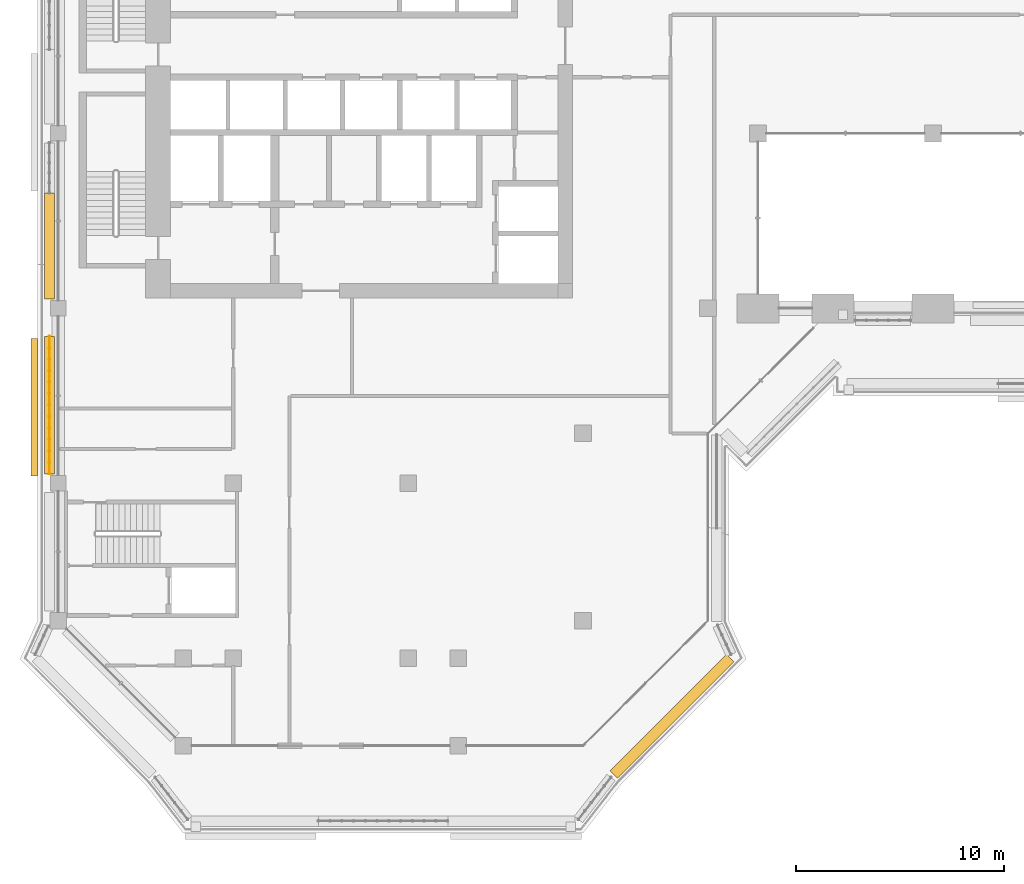
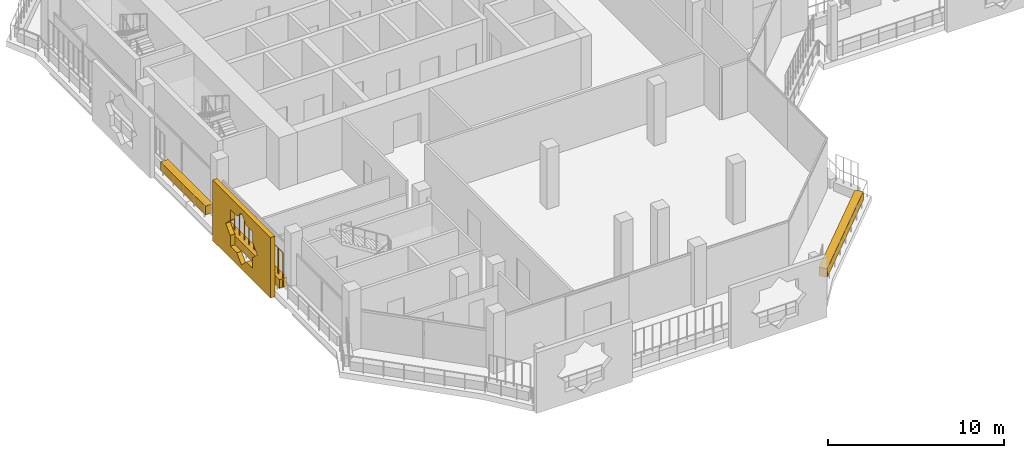
# One storey, part 16 of 23: 4 coverings, 1 railing.
"""IFC4 building model written with IfcOpenShell, lengths in metres."""

from ifc_helpers import new_model, si_unit, direction, frame, origin, origin_2d, place, context, subcontext, project, spatial, polyline, rectangle, circle, outline, extrude, material, material_profile, profile_set, type_object, element, save


model = new_model("IFC4")

# Units and contexts
model_context = context("Model", 3, precision=1e-05, world=origin(), true_north=direction((0.0, 1.0)))
body_context = subcontext(model_context, "Body", "Model", "MODEL_VIEW")
ifc_project = project(units=[si_unit("LENGTHUNIT", "METRE"), si_unit("AREAUNIT", "SQUARE_METRE"), si_unit("VOLUMEUNIT", "CUBIC_METRE"), si_unit("PLANEANGLEUNIT", "RADIAN"), si_unit("MASSUNIT", "GRAM", prefix="KILO")], contexts=[model_context])

# Site, building, storey
site_placement = place(None, origin())
site = spatial("IfcSite", under=ifc_project, at=site_placement, CompositionType="ELEMENT")
building_placement = place(site_placement, origin())
building = spatial("IfcBuilding", under=site, at=building_placement, Name="Kawkab Arch Medical Tower", CompositionType="ELEMENT")
storey_placement = place(building_placement, frame((0.0, 0.0, 281.800048828125)))
storey = spatial("IfcBuildingStorey", under=building, at=storey_placement, Name="L65", CompositionType="ELEMENT", Elevation=281.800048828125)

# Coverings
ifc_material_1 = material(Name="Bronze anodised aluminium mashrabiya panel, eight-point star pattern", Category="aluminium")
ifc_material_profile_1 = material_profile(ifc_material_1, outline(polyline([(-3.300048828125, -2.10009765625), (3.300048828125, -2.10009765625), (3.300048828125, 2.10009765625), (-3.300048828125, 2.10009765625), (-3.300048828125, -2.10009765625)]), holes=[polyline([(1.800048828125, 0.0), (1.272705078125, 0.527099609375), (1.272705078125, 1.272705078125), (0.527099609375, 1.272705078125), (0.0, 1.800048828125), (-0.527099609375, 1.272705078125), (-1.272705078125, 1.272705078125), (-1.272705078125, 0.527099609375), (-1.800048828125, 0.0), (-1.272705078125, -0.527099609375), (-1.272705078125, -1.272705078125), (-0.527099609375, -1.272705078125), (0.0, -1.800048828125), (0.527099609375, -1.272705078125), (1.272705078125, -1.272705078125), (1.272705078125, -0.527099609375), (1.800048828125, 0.0)])]), Name="Mashrabiya panel 6600x4200")
ifc_profile_set_1 = profile_set([ifc_material_profile_1], Name="Bronze anodised aluminium mashrabiya panel, eight-point star pattern")
covering_type_1 = type_object("IfcCoveringType", Name="Mashrabiya panel 6600 x 4200", PredefinedType="USERDEFINED", material=ifc_profile_set_1)
covering_1_placement = place(storey_placement, frame((-1.0, -29.94091796875, 1.699951171875), z_axis=(-1.0, 0.0, 0.0), x_axis=(0.0, -1.0, 0.0)))
element("IfcCovering", 1, at=covering_1_placement, inside=storey, type_object=covering_type_1, Name="Mashrabiya panel L65.LOG-01-02.1", ObjectType="SCREEN", PredefinedType="USERDEFINED", context=body_context, shape_type="SweptSolid", body=[
    extrude(outline(polyline([(-3.300048828125, -2.10009765625), (3.300048828125, -2.10009765625), (3.300048828125, 2.10009765625), (-3.300048828125, 2.10009765625), (-3.300048828125, -2.10009765625)]), holes=[polyline([(1.800048828125, 0.0), (1.272705078125, 0.527099609375), (1.272705078125, 1.272705078125), (0.527099609375, 1.272705078125), (0.0, 1.800048828125), (-0.527099609375, 1.272705078125), (-1.272705078125, 1.272705078125), (-1.272705078125, 0.527099609375), (-1.800048828125, 0.0), (-1.272705078125, -0.527099609375), (-1.272705078125, -1.272705078125), (-0.527099609375, -1.272705078125), (0.0, -1.800048828125), (0.527099609375, -1.272705078125), (1.272705078125, -1.272705078125), (1.272705078125, -0.527099609375), (1.800048828125, 0.0)])]), origin(), (0.0, 0.0, 1.0), 0.300048828125),
])
ifc_material_2 = material(Name="Planting soil in a precast trough", Category="concrete")
ifc_material_profile_2 = material_profile(ifc_material_2, rectangle(XDim=0.5, YDim=0.60009765625, at=origin_2d()), Name="Trough 500x600")
ifc_profile_set_2 = profile_set([ifc_material_profile_2], Name="Planting soil in a precast trough")
covering_type_2 = type_object("IfcCoveringType", Name="Planter trough 500 x 600", PredefinedType="USERDEFINED", material=ifc_profile_set_2)
covering_2_placement = place(storey_placement, frame((-0.419921875, -33.14697265625, 0.300048828125), z_axis=(0.0, 1.0, 0.0), x_axis=(-1.0, 0.0, 0.0)))
element("IfcCovering", 2, at=covering_2_placement, inside=storey, type_object=covering_type_2, Name="Planter L65.LOG-01-02.5", ObjectType="PLANTER", PredefinedType="USERDEFINED", context=body_context, shape_type="SweptSolid", body=[
    extrude(rectangle(XDim=0.5, YDim=0.60009765625, at=origin_2d()), origin(), (0.0, 0.0, 1.0), 6.60205078125),
])
covering_3_placement = place(storey_placement, frame((-0.419921875, -24.7470703125, 0.300048828125), z_axis=(0.0, 1.0, 0.0), x_axis=(-1.0, 0.0, 0.0)))
element("IfcCovering", 3, at=covering_3_placement, inside=storey, type_object=covering_type_2, Name="Planter L65.LOG-01-02.6", ObjectType="PLANTER", PredefinedType="USERDEFINED", context=body_context, shape_type="SweptSolid", body=[
    extrude(rectangle(XDim=0.5, YDim=0.60009765625, at=origin_2d()), origin(), (0.0, 0.0, 1.0), 5.092041015625),
])
covering_4_placement = place(storey_placement, frame((32.27294921875, -41.98291015625, 0.300048828125), z_axis=(-0.707091367247, -0.70712219479, 0.0), x_axis=(0.70712219479, -0.707091367247, 0.0)))
element("IfcCovering", 4, at=covering_4_placement, inside=storey, type_object=covering_type_2, Name="Planter L65.LOG-01-02.36", ObjectType="PLANTER", PredefinedType="USERDEFINED", context=body_context, shape_type="SweptSolid", body=[
    extrude(rectangle(XDim=0.5, YDim=0.60009765625, at=origin_2d()), origin(), (0.0, 0.0, 1.0), 7.919677734375),
])

# Railing
ifc_material_3 = material(Name="Bronze anodised aluminium trellis for climbing plants", Category="aluminium")
railing_type = type_object("IfcRailingType", Name="Planting trellis 2400", PredefinedType="USERDEFINED", material=ifc_material_3)
railing_placement = place(storey_placement, frame((-0.419921875, -33.14697265625, 0.0)))
element("IfcRailing", 5, at=railing_placement, inside=storey, type_object=railing_type, Name="Planting trellis L65.LOG-01-02.5", ObjectType="TRELLIS", PredefinedType="USERDEFINED", context=body_context, shape_type="SweptSolid", body=[
    extrude(circle(Radius=0.01513671875, at=origin_2d()), frame((0.0, 0.0, 2.384765625), z_axis=(0.0, 1.0, 0.0), x_axis=(-1.0, 0.0, 0.0)), (0.0, 0.0, 1.0), 6.60205078125),
    extrude(circle(Radius=0.030029296875, at=origin_2d()), origin(), (0.0, 0.0, 1.0), 2.369873046875),
    extrude(circle(Radius=0.030029296875, at=origin_2d()), frame((0.0, 0.55029296875, 0.0)), (0.0, 0.0, 1.0), 2.369873046875),
    extrude(circle(Radius=0.030029296875, at=origin_2d()), frame((0.0, 1.100341796875, 0.0)), (0.0, 0.0, 1.0), 2.369873046875),
    extrude(circle(Radius=0.030029296875, at=origin_2d()), frame((0.0, 1.650390625, 0.0)), (0.0, 0.0, 1.0), 2.369873046875),
    extrude(circle(Radius=0.030029296875, at=origin_2d()), frame((0.0, 2.20068359375, 0.0)), (0.0, 0.0, 1.0), 2.369873046875),
    extrude(circle(Radius=0.030029296875, at=origin_2d()), frame((0.0, 2.7509765625, 0.0)), (0.0, 0.0, 1.0), 2.369873046875),
    extrude(circle(Radius=0.030029296875, at=origin_2d()), frame((0.0, 3.301025390625, 0.0)), (0.0, 0.0, 1.0), 2.369873046875),
    extrude(circle(Radius=0.030029296875, at=origin_2d()), frame((0.0, 3.851318359375, 0.0)), (0.0, 0.0, 1.0), 2.369873046875),
    extrude(circle(Radius=0.030029296875, at=origin_2d()), frame((0.0, 4.4013671875, 0.0)), (0.0, 0.0, 1.0), 2.369873046875),
    extrude(circle(Radius=0.030029296875, at=origin_2d()), frame((0.0, 4.95166015625, 0.0)), (0.0, 0.0, 1.0), 2.369873046875),
    extrude(circle(Radius=0.030029296875, at=origin_2d()), frame((0.0, 5.501708984375, 0.0)), (0.0, 0.0, 1.0), 2.369873046875),
    extrude(circle(Radius=0.030029296875, at=origin_2d()), frame((0.0, 6.0517578125, 0.0)), (0.0, 0.0, 1.0), 2.369873046875),
    extrude(circle(Radius=0.030029296875, at=origin_2d()), frame((0.0, 6.60205078125, 0.0)), (0.0, 0.0, 1.0), 2.369873046875),
])

save(model, "model.ifc")
